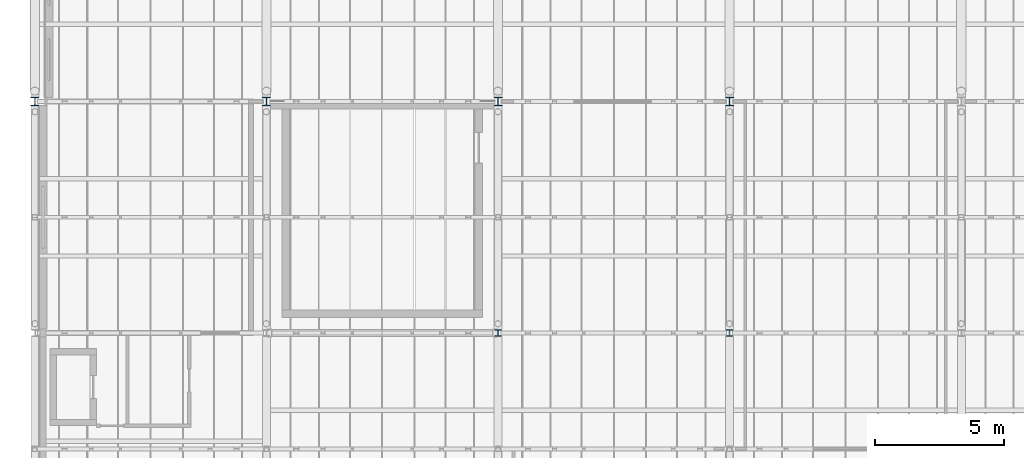
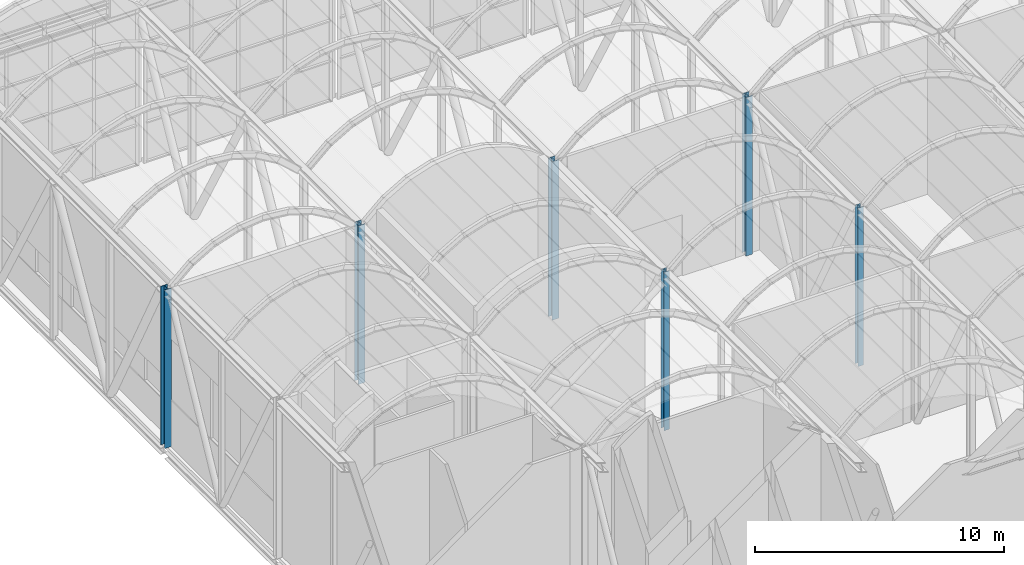
# One storey, part 6 of 144: 6 columns.
"""IFC4 building model written with IfcOpenShell, lengths in metres."""

from ifc_helpers import new_model, si_unit, direction, frame, origin, origin_2d, place, context, subcontext, project, spatial, i_section, extrude, material, material_profile, profile_set, type_object, element, save


model = new_model("IFC4")

# Units and contexts
model_context = context("Model", 3, precision=1e-05, world=origin(), true_north=direction((0.0, 1.0)))
body_context = subcontext(model_context, "Body", "Model", "MODEL_VIEW")
ifc_project = project(units=[si_unit("LENGTHUNIT", "METRE"), si_unit("AREAUNIT", "SQUARE_METRE"), si_unit("VOLUMEUNIT", "CUBIC_METRE"), si_unit("PLANEANGLEUNIT", "RADIAN"), si_unit("MASSUNIT", "GRAM", prefix="KILO")], contexts=[model_context])

# Site, building, storey
site_placement = place(None, origin())
site = spatial("IfcSite", under=ifc_project, at=site_placement, CompositionType="ELEMENT")
building_placement = place(site_placement, origin())
building = spatial("IfcBuilding", under=site, at=building_placement, Name="Shorebreak Coast Museum", CompositionType="ELEMENT")
storey_placement = place(building_placement, frame((0.0, 0.0, 36.0)))
storey = spatial("IfcBuildingStorey", under=building, at=storey_placement, Name="L06", CompositionType="ELEMENT", Elevation=36.0)

# Columns
ifc_material_1 = material(Name="Steel Grade 300", Category="steel")
ifc_material_profile_1 = material_profile(ifc_material_1, i_section(OverallWidth=0.25390625, OverallDepth=0.25390625, WebThickness=0.008544921875, FlangeThickness=0.01416015625, FilletRadius=0.013916015625, at=origin_2d()), Name="250UC72.9")
ifc_profile_set_1 = profile_set([ifc_material_profile_1], Name="Steel Grade 300")
column_type_1 = type_object("IfcColumnType", Name="Column 250UC72.9", PredefinedType="COLUMN", material=ifc_profile_set_1)
for number, where, z_axis, x_axis, name in (
    (1, (72.0, 108.0, 0.0), (0.0, 0.0, 1.0), (1.0, 0.0, 0.0), "Column L06 9N"),
    (2, (81.0, 108.0, 0.0), (0.0, 0.0, 1.0), (1.0, 0.0, 0.0), "Column L06 10N"),
):
    element("IfcColumn", number, at=place(storey_placement, frame(where, z_axis=z_axis, x_axis=x_axis)), inside=storey, type_object=column_type_1, Name=name, PredefinedType="COLUMN", context=body_context, shape_type="SweptSolid", body=[
        extrude(i_section(OverallWidth=0.25390625, OverallDepth=0.25390625, WebThickness=0.008544921875, FlangeThickness=0.01416015625, FilletRadius=0.013916015625, at=origin_2d()), origin(), (0.0, 0.0, 1.0), 7.784912109375),
    ])
ifc_material_2 = material(Name="Steel Grade 300", Category="steel")
ifc_material_profile_2 = material_profile(ifc_material_2, i_section(OverallWidth=0.31103515625, OverallDepth=0.3271484375, WebThickness=0.015625, FlangeThickness=0.02490234375, FilletRadius=0.0166015625, at=origin_2d()), Name="310UC158")
ifc_profile_set_2 = profile_set([ifc_material_profile_2], Name="Steel Grade 300")
column_type_2 = type_object("IfcColumnType", Name="Column 310UC158", PredefinedType="COLUMN", material=ifc_profile_set_2)
for number, where, z_axis, x_axis, name in (
    (3, (54.0, 117.0, 0.0), (0.0, 0.0, 1.0), (1.0, 0.0, 0.0), "Column L06 7P"),
    (4, (63.0, 117.0, 0.0), (0.0, 0.0, 1.0), (1.0, 0.0, 0.0), "Column L06 8P"),
    (5, (72.0, 117.0, 0.0), (0.0, 0.0, 1.0), (1.0, 0.0, 0.0), "Column L06 9P"),
    (6, (81.0, 117.0, 0.0), (0.0, 0.0, 1.0), (1.0, 0.0, 0.0), "Column L06 10P"),
):
    element("IfcColumn", number, at=place(storey_placement, frame(where, z_axis=z_axis, x_axis=x_axis)), inside=storey, type_object=column_type_2, Name=name, PredefinedType="COLUMN", context=body_context, shape_type="SweptSolid", body=[
        extrude(i_section(OverallWidth=0.31103515625, OverallDepth=0.3271484375, WebThickness=0.015625, FlangeThickness=0.02490234375, FilletRadius=0.0166015625, at=origin_2d()), origin(), (0.0, 0.0, 1.0), 7.784912109375),
    ])

save(model, "model.ifc")
